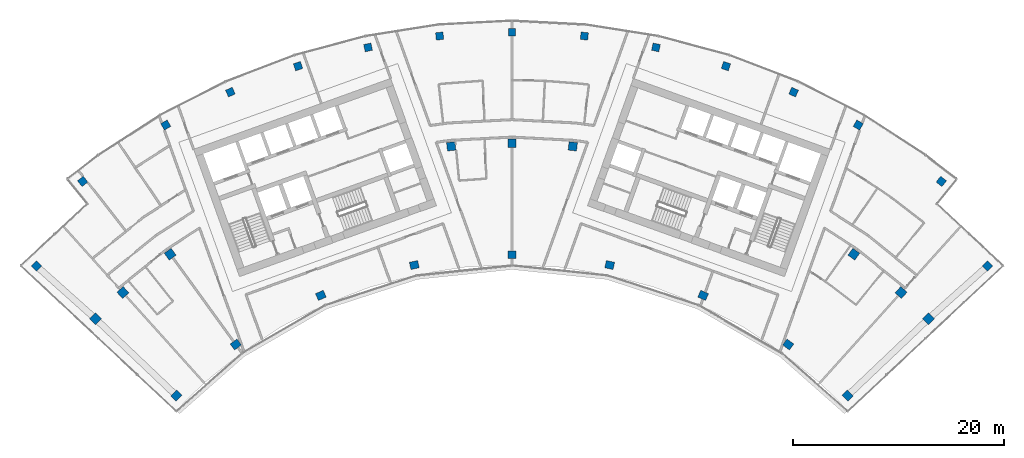
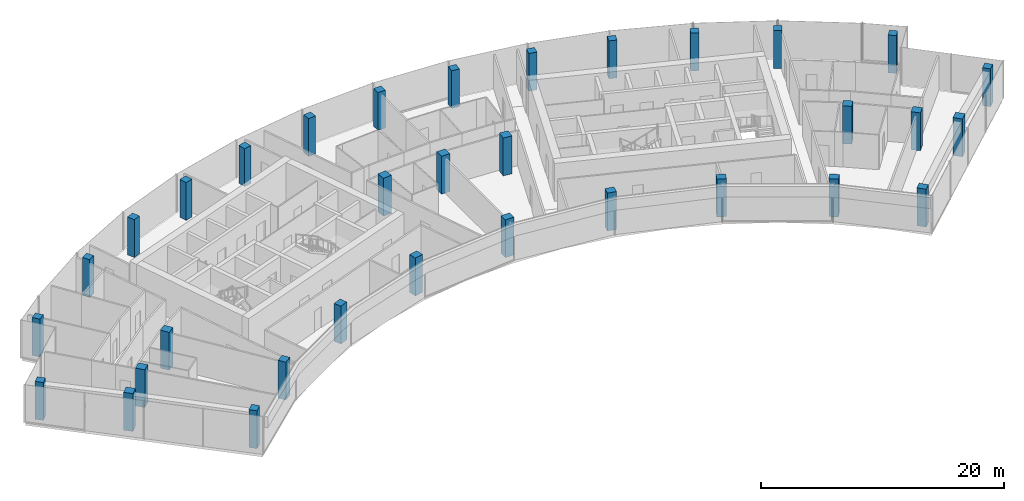
# One storey, part 1 of 18: 33 columns.
"""IFC4 building model written with IfcOpenShell, lengths in metres."""

import ifcopenshell
import ifcopenshell.guid

model = None  # the IFC model being written
_history = None  # IfcOwnerHistory: only IFC2X3 demands one
_inside = {}  # id of a spatial element -> (the spatial element, [elements in it])
_under = {}  # id of a project, library or spatial element -> (it, [spatial elements below it])
_declared = {}  # id of a project -> (the project, [libraries it declares])
_typed = {}  # id of a type object -> (the type object, [elements of that type])
_made_of = {}  # id of a material, layer set ... -> (it, [elements and type objects made of it])


def new_model(schema):
    """Start an empty IFC model of exactly this schema.

    Asked for "IFC4X3", IfcOpenShell would pick the latest addendum, in which some entities
    have other attributes; the version numbers below select the first issue.
    IFC2X3 requires an IfcOwnerHistory on every rooted entity: one is made here for all.
    """
    global model, _history
    if schema == "IFC4X3":
        model = ifcopenshell.file(schema_version=(4, 3, 0, 0))
    else:
        model = ifcopenshell.file(schema=schema)
    _inside.clear()
    _under.clear()
    _declared.clear()
    _typed.clear()
    _made_of.clear()
    _history = None
    if model.schema == "IFC2X3":
        org = make("IfcOrganization", Name="unknown")
        user = make(
            "IfcPersonAndOrganization",
            ThePerson=make("IfcPerson", FamilyName="unknown"),
            TheOrganization=org,
        )
        app = make(
            "IfcApplication",
            ApplicationDeveloper=org,
            Version="unknown",
            ApplicationFullName="unknown",
            ApplicationIdentifier="unknown",
        )
        _history = make(
            "IfcOwnerHistory",
            OwningUser=user,
            OwningApplication=app,
            ChangeAction="ADDED",
            CreationDate=0,
        )
    return model


def make(cls, **values):
    """One entity of the class cls with the attributes given. An attribute that is None is left unset."""
    return model.create_entity(
        cls, **{name: value for name, value in values.items() if value is not None}
    )


def rooted(cls, **values):
    """An entity with a GlobalId (a new one), such as an element, a storey or a relation."""
    return make(cls, GlobalId=ifcopenshell.guid.new(), OwnerHistory=_history, **values)


def si_unit(unit_type, name, prefix=None):
    """IfcSIUnit, for example si_unit("LENGTHUNIT", "METRE", prefix="MILLI")."""
    return make("IfcSIUnit", UnitType=unit_type, Prefix=prefix, Name=name)


def assignment(units):
    """IfcUnitAssignment: the units of a project."""
    return None if units is None else make("IfcUnitAssignment", Units=units)


def point(xyz):
    """IfcCartesianPoint."""
    return None if xyz is None else make("IfcCartesianPoint", Coordinates=xyz)


def direction(xyz):
    """IfcDirection."""
    return None if xyz is None else make("IfcDirection", DirectionRatios=xyz)


def frame(location, z_axis=None, x_axis=None):
    """IfcAxis2Placement3D, a coordinate frame: its origin and axes. An axis left out is left unset."""
    return make(
        "IfcAxis2Placement3D",
        Location=point(location),
        Axis=direction(z_axis),
        RefDirection=direction(x_axis),
    )


def frame_2d(location, x_axis=None):
    """IfcAxis2Placement2D, a coordinate frame in the plane: its origin and x axis."""
    return make(
        "IfcAxis2Placement2D", Location=point(location), RefDirection=direction(x_axis)
    )


def origin():
    """The frame at (0, 0, 0) with its axes left unset."""
    return frame((0.0, 0.0, 0.0))


def origin_2d():
    """The frame at (0, 0) in the plane with its x axis left unset."""
    return frame_2d((0.0, 0.0))


def place(relative_to, where):
    """IfcLocalPlacement: puts the frame where relative to a parent placement (None: the world)."""
    return make(
        "IfcLocalPlacement", PlacementRelTo=relative_to, RelativePlacement=where
    )


def context(
    kind, dimensions, precision=None, world=None, true_north=None, identifier=None
):
    """IfcGeometricRepresentationContext, for example the 3D "Model" context."""
    return make(
        "IfcGeometricRepresentationContext",
        ContextIdentifier=identifier,
        ContextType=kind,
        CoordinateSpaceDimension=dimensions,
        Precision=precision,
        WorldCoordinateSystem=world,
        TrueNorth=true_north,
    )


def subcontext(parent, identifier, kind, view, scale=None):
    """IfcGeometricRepresentationSubContext, for example "Body" below "Model"."""
    return make(
        "IfcGeometricRepresentationSubContext",
        ContextIdentifier=identifier,
        ContextType=kind,
        ParentContext=parent,
        TargetScale=scale,
        TargetView=view,
    )


def project(units=None, contexts=None):
    """IfcProject with its units and contexts."""
    return rooted(
        "IfcProject",
        Name="project",
        RepresentationContexts=contexts,
        UnitsInContext=assignment(units),
    )


def spatial(cls, under=None, at=None, **own):
    """A site, building, storey or space (cls), placed at a placement, below another one or the project."""
    s = rooted(cls, ObjectPlacement=at, **own)
    if under is not None:
        _under.setdefault(under.id(), (under, []))[1].append(s)
    return s


def profile(cls, at=None, kind="AREA", **sizes):
    """A parametric profile (cls). Its sizes go by their IFC names, for example OverallWidth=200.0."""
    return make(cls, ProfileType=kind, Position=at, **sizes)


def rectangle(**sizes):
    """IfcRectangleProfileDef."""
    return profile("IfcRectangleProfileDef", **sizes)


def extrude(swept, where, along, depth):
    """IfcExtrudedAreaSolid: the profile swept, set in the frame where, extruded along a direction by depth."""
    return make(
        "IfcExtrudedAreaSolid",
        SweptArea=swept,
        Position=where,
        ExtrudedDirection=direction(along),
        Depth=depth,
    )


def shape(context_of_items, identifier, shape_type, items):
    """IfcShapeRepresentation: the items that make up one representation, for example the "Body"."""
    return make(
        "IfcShapeRepresentation",
        ContextOfItems=context_of_items,
        RepresentationIdentifier=identifier,
        RepresentationType=shape_type,
        Items=items,
    )


def material(Name=None, Category=None):
    """IfcMaterial."""
    return make("IfcMaterial", Name=Name, Category=Category)


def material_profile(
    of_material, cross_section, Name=None, Category=None, Priority=None
):
    """IfcMaterialProfile: a cross section and its material."""
    return make(
        "IfcMaterialProfile",
        Name=Name,
        Material=of_material,
        Profile=cross_section,
        Priority=Priority,
        Category=Category,
    )


def profile_set(profiles, Name=None, composite=None):
    """IfcMaterialProfileSet."""
    return make(
        "IfcMaterialProfileSet",
        Name=Name,
        MaterialProfiles=profiles,
        CompositeProfile=composite,
    )


def made_of(thing, what):
    """Note that an element or type object is made of a material, layer set ...; save() writes the relation."""
    if what is not None:
        _made_of.setdefault(what.id(), (what, []))[1].append(thing)
    return thing


def type_object(cls, material=None, **own):
    """A type object (cls), such as IfcWallType, which elements share."""
    return made_of(rooted(cls, **own), material)


def element(
    cls,
    number,
    at=None,
    inside=None,
    cuts=None,
    type_object=None,
    material=None,
    context=None,
    identifier="Body",
    shape_type=None,
    held_by="IfcProductDefinitionShape",
    body=None,
    shapes=None,
    **own,
):
    """One element of the class cls, such as IfcWall. Its Tag is "e" and its number.

    at: its placement. inside: the storey or other place that contains it. cuts: it is an
    opening in that element (IfcRelVoidsElement). A single representation is given by context,
    identifier, shape_type and body (its items); several are given by shapes. held_by: the class
    of the entity that holds the representations. save() writes the other relations.
    """
    e = rooted(cls, Tag="e%d" % number, ObjectPlacement=at, **own)
    if body is not None:
        shapes = [shape(context, identifier, shape_type, body)]
    if shapes is not None:
        e.Representation = make(held_by, Representations=shapes)
    if inside is not None:
        _inside.setdefault(inside.id(), (inside, []))[1].append(e)
    if cuts is not None:
        rooted(
            "IfcRelVoidsElement", RelatingBuildingElement=cuts, RelatedOpeningElement=e
        )
    if type_object is not None:
        _typed.setdefault(type_object.id(), (type_object, []))[1].append(e)
    return made_of(e, material)


def aggregate(whole, parts):
    """IfcRelAggregates: a whole, such as a stair, and the parts it consists of."""
    return rooted("IfcRelAggregates", RelatingObject=whole, RelatedObjects=parts)


def save(model, path):
    """Write the relations noted so far, then the file.

    IfcRelAggregates (storeys below a building ...), IfcRelContainedInSpatialStructure (elements
    in a storey), IfcRelDefinesByType, IfcRelAssociatesMaterial and IfcRelDeclares: one each for
    every whole, place, type object, material and project.
    """
    for whole, parts in _under.values():
        aggregate(whole, parts)
    for where, things in _inside.values():
        rooted(
            "IfcRelContainedInSpatialStructure",
            RelatedElements=things,
            RelatingStructure=where,
        )
    for kind, things in _typed.values():
        rooted("IfcRelDefinesByType", RelatedObjects=things, RelatingType=kind)
    for what, things in _made_of.values():
        rooted("IfcRelAssociatesMaterial", RelatedObjects=things, RelatingMaterial=what)
    for by, libraries in _declared.values():
        rooted("IfcRelDeclares", RelatingContext=by, RelatedDefinitions=libraries)
    model.write(path)


model = new_model("IFC4")

# Units and contexts
model_context = context("Model", 3, precision=1e-05, world=origin(), true_north=direction((0.0, 1.0)))
body_context = subcontext(model_context, "Body", "Model", "MODEL_VIEW")
ifc_project = project(units=[si_unit("LENGTHUNIT", "METRE"), si_unit("AREAUNIT", "SQUARE_METRE"), si_unit("VOLUMEUNIT", "CUBIC_METRE"), si_unit("PLANEANGLEUNIT", "RADIAN"), si_unit("MASSUNIT", "GRAM", prefix="KILO")], contexts=[model_context])

# Site, building, storey
site_placement = place(None, origin())
site = spatial("IfcSite", under=ifc_project, at=site_placement, CompositionType="ELEMENT")
building_placement = place(site_placement, origin())
building = spatial("IfcBuilding", under=site, at=building_placement, Name="Stone Belt Terrace Tower", CompositionType="ELEMENT")
storey_placement = place(building_placement, frame((0.0, 0.0, 284.60009765625)))
storey = spatial("IfcBuildingStorey", under=building, at=storey_placement, Name="L69", CompositionType="ELEMENT", Elevation=284.60009765625)

# Columns
ifc_material = material(Name="Concrete B60", Category="concrete")
ifc_material_profile_1 = material_profile(ifc_material, rectangle(XDim=0.699951171875, YDim=0.699951171875, at=origin_2d()), Name="RC 700x700")
ifc_profile_set_1 = profile_set([ifc_material_profile_1], Name="Concrete B60")
column_type_1 = type_object("IfcColumnType", Name="Column RC 700x700 B60", PredefinedType="COLUMN", material=ifc_profile_set_1)
for number, where, z_axis, x_axis, name in (
    (1, (-44.97705078125, 43.381103515625, 0.0), (0.0, 0.0, 1.0), (0.694221333646, 0.719761585465, 0.0), "Column L69 RA"),
    (2, (44.97705078125, 43.381103515625, 0.0), (0.0, 0.0, 1.0), (0.694221333646, -0.719761585465, 0.0), "Column L69 RB"),
    (3, (-40.605712890625, 51.380615234375, 0.0), (0.0, 0.0, 1.0), (0.784569718703, 0.620040608746, 0.0), "Column L69 RNA"),
    (4, (-32.744384765625, 56.715087890625, 0.0), (0.0, 0.0, 1.0), (0.866025403784, 0.5, 0.0), "Column L69 R17"),
    (5, (-26.63671875, 59.8271484375, 0.0), (0.0, 0.0, 1.0), (0.913545457643, 0.406736643076, 0.0), "Column L69 R18"),
    (6, (-20.2373046875, 62.28369140625, 0.0), (0.0, 0.0, 1.0), (0.951056516295, 0.309016994375, 0.0), "Column L69 R19"),
    (7, (-13.615966796875, 64.057861328125, 0.0), (0.0, 0.0, 1.0), (0.978147600734, 0.207911690818, 0.0), "Column L69 R20"),
    (8, (-6.845458984375, 65.130126953125, 0.0), (0.0, 0.0, 1.0), (0.994521895368, 0.104528463268, 0.0), "Column L69 R21"),
    (9, (0.0, 65.489013671875, 0.0), (0.0, 0.0, 1.0), (1.0, 0.0, 0.0), "Column L69 R22"),
    (10, (6.845458984375, 65.130126953125, 0.0), (0.0, 0.0, 1.0), (0.994521895368, -0.104528463268, 0.0), "Column L69 R23"),
    (11, (13.615966796875, 64.057861328125, 0.0), (0.0, 0.0, 1.0), (0.978147600734, -0.207911690818, 0.0), "Column L69 R24"),
    (12, (20.2373046875, 62.28369140625, 0.0), (0.0, 0.0, 1.0), (0.951056516295, -0.309016994375, 0.0), "Column L69 R25"),
    (13, (26.63671875, 59.8271484375, 0.0), (0.0, 0.0, 1.0), (0.913545457643, -0.406736643076, 0.0), "Column L69 R26"),
    (14, (32.744384765625, 56.715087890625, 0.0), (0.0, 0.0, 1.0), (0.866025403784, -0.5, 0.0), "Column L69 R27"),
    (15, (40.605712890625, 51.380615234375, 0.0), (0.0, 0.0, 1.0), (0.784569718703, -0.620040608746, 0.0), "Column L69 RNB"),
):
    element("IfcColumn", number, at=place(storey_placement, frame(where, z_axis=z_axis, x_axis=x_axis)), inside=storey, type_object=column_type_1, Name=name, PredefinedType="COLUMN", context=body_context, shape_type="SweptSolid", body=[
        extrude(rectangle(XDim=0.699951171875, YDim=0.699951171875, at=origin_2d()), origin(), (0.0, 0.0, 1.0), 3.7998046875),
    ])
ifc_material_profile_2 = material_profile(ifc_material, rectangle(XDim=0.800048828125, YDim=0.699951171875, at=origin_2d()), Name="RC 800x700")
ifc_profile_set_2 = profile_set([ifc_material_profile_2], Name="Concrete B60")
column_type_2 = type_object("IfcColumnType", Name="Column RC 800x700 B60", PredefinedType="COLUMN", material=ifc_profile_set_2)
for number, where, z_axis, x_axis, name in (
    (16, (-31.73486328125, 31.11669921875, 0.0), (0.0, 0.0, 1.0), (0.700119596097, 0.714025595592, 0.0), "Column L69 PA"),
    (17, (-26.1240234375, 35.956787109375, 0.0), (0.0, 0.0, 1.0), (0.809016994375, 0.587785252292, 0.0), "Column L69 P16"),
    (18, (-18.077392578125, 40.6025390625, 0.0), (0.0, 0.0, 1.0), (0.913545457643, 0.406736643076, 0.0), "Column L69 P18"),
    (19, (-9.240478515625, 43.473876953125, 0.0), (0.0, 0.0, 1.0), (0.978147600734, 0.207911690818, 0.0), "Column L69 P20"),
    (20, (0.0, 44.445068359375, 0.0), (0.0, 0.0, 1.0), (1.0, 0.0, 0.0), "Column L69 P22"),
    (21, (9.240478515625, 43.473876953125, 0.0), (0.0, 0.0, 1.0), (0.978147600734, -0.207911690818, 0.0), "Column L69 P24"),
    (22, (18.077392578125, 40.6025390625, 0.0), (0.0, 0.0, 1.0), (0.913545457643, -0.406736643076, 0.0), "Column L69 P26"),
    (23, (26.1240234375, 35.956787109375, 0.0), (0.0, 0.0, 1.0), (0.809016994375, -0.587785252292, 0.0), "Column L69 P28"),
    (24, (31.73486328125, 31.11669921875, 0.0), (0.0, 0.0, 1.0), (0.700119596097, -0.714025595592, 0.0), "Column L69 PB"),
):
    element("IfcColumn", number, at=place(storey_placement, frame(where, z_axis=z_axis, x_axis=x_axis)), inside=storey, type_object=column_type_2, Name=name, PredefinedType="COLUMN", context=body_context, shape_type="SweptSolid", body=[
        extrude(rectangle(XDim=0.800048828125, YDim=0.699951171875, at=origin_2d()), origin(), (0.0, 0.0, 1.0), 3.7998046875),
    ])
ifc_material_profile_3 = material_profile(ifc_material, rectangle(XDim=0.800048828125, YDim=0.800048828125, at=origin_2d()), Name="RC 800x800")
ifc_profile_set_3 = profile_set([ifc_material_profile_3], Name="Concrete B60")
column_type_3 = type_object("IfcColumnType", Name="Column RC 800x800 B60", PredefinedType="COLUMN", material=ifc_profile_set_3)
for number, where, z_axis, x_axis, name in (
    (25, (-39.38818359375, 38.386962890625, 0.0), (0.0, 0.0, 1.0), (0.697944216238, 0.716152128406, 0.0), "Column L69 QA"),
    (26, (-36.80224609375, 40.873046875, 0.0), (0.0, 0.0, 1.0), (0.743144825477, 0.669130606359, 0.0), "Column L69 Q15"),
    (27, (-32.328125, 44.495849609375, 0.0), (0.0, 0.0, 1.0), (0.809016994375, 0.587785252292, 0.0), "Column L69 Q16"),
    (28, (-5.7490234375, 54.69873046875, 0.0), (0.0, 0.0, 1.0), (0.994521895368, 0.104528463268, 0.0), "Column L69 Q21"),
    (29, (0.0, 55.0, 0.0), (0.0, 0.0, 1.0), (1.0, 0.0, 0.0), "Column L69 Q22"),
    (30, (5.7490234375, 54.69873046875, 0.0), (0.0, 0.0, 1.0), (0.994521895368, -0.104528463268, 0.0), "Column L69 Q23"),
    (31, (32.328125, 44.495849609375, 0.0), (0.0, 0.0, 1.0), (0.809016994375, -0.587785252292, 0.0), "Column L69 Q28"),
    (32, (36.80224609375, 40.873046875, 0.0), (0.0, 0.0, 1.0), (0.743144825477, -0.669130606359, 0.0), "Column L69 Q29"),
    (33, (39.38818359375, 38.386962890625, 0.0), (0.0, 0.0, 1.0), (0.697944216238, -0.716152128406, 0.0), "Column L69 QB"),
):
    element("IfcColumn", number, at=place(storey_placement, frame(where, z_axis=z_axis, x_axis=x_axis)), inside=storey, type_object=column_type_3, Name=name, PredefinedType="COLUMN", context=body_context, shape_type="SweptSolid", body=[
        extrude(rectangle(XDim=0.800048828125, YDim=0.800048828125, at=origin_2d()), origin(), (0.0, 0.0, 1.0), 3.7998046875),
    ])

save(model, "model.ifc")
